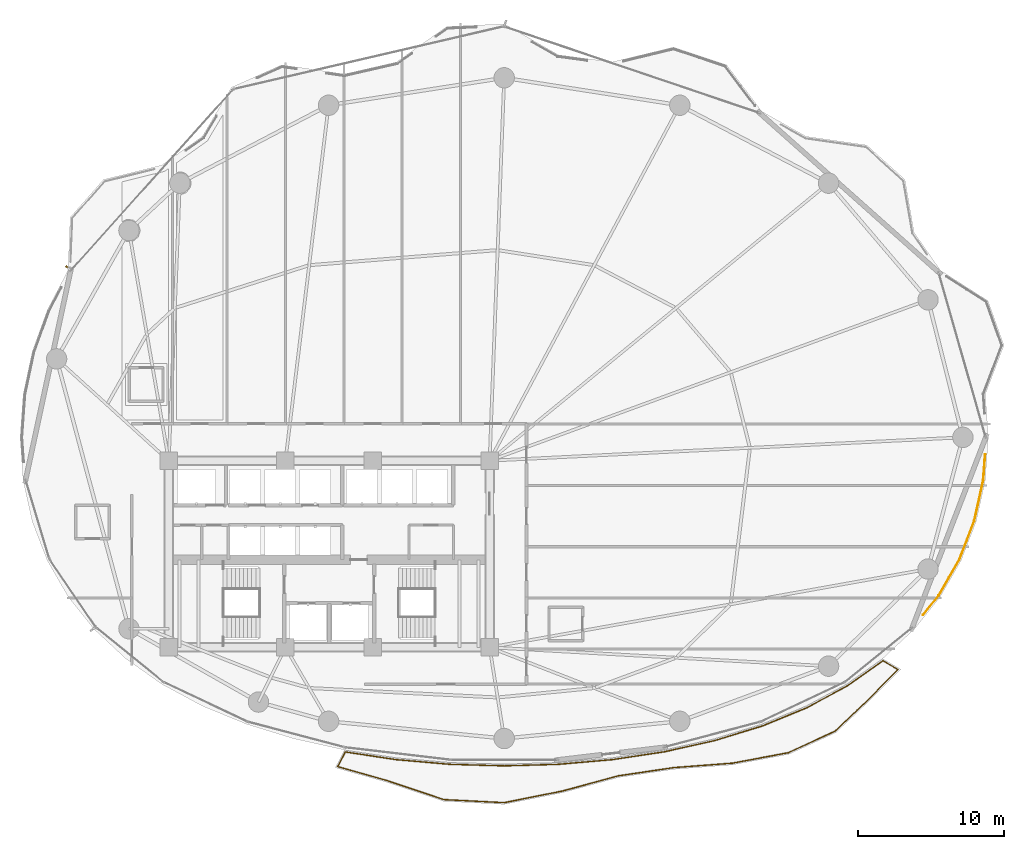
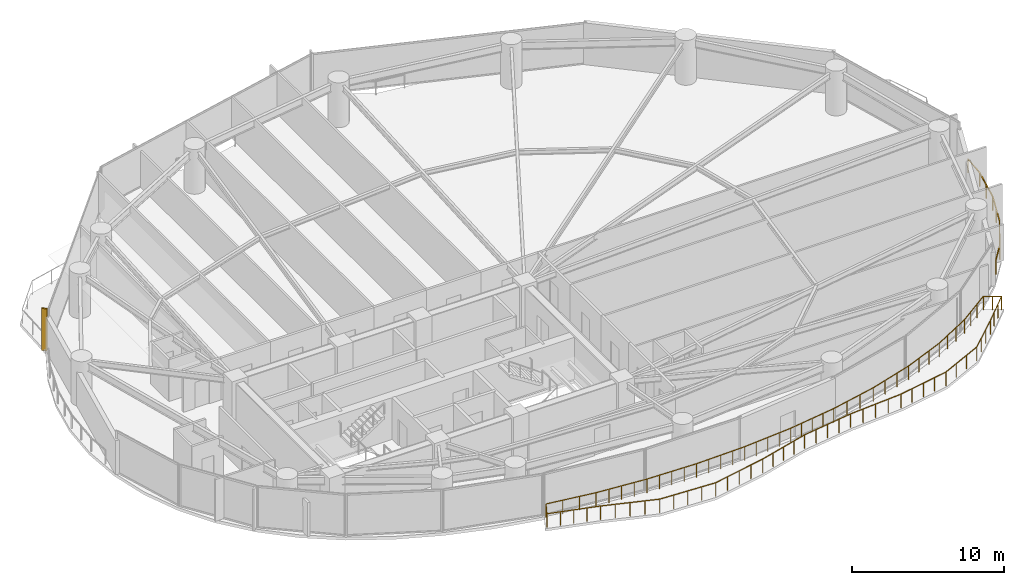
# One storey, part 30 of 31: 2 railings, 1 shading device.
"""IFC4 building model written with IfcOpenShell, lengths in metres."""

from ifc_helpers import new_model, si_unit, direction, frame, origin, origin_2d, place, context, subcontext, project, spatial, rectangle, extrude, material, type_object, element, save


model = new_model("IFC4")

# Units and contexts
model_context = context("Model", 3, precision=1e-05, world=origin(), true_north=direction((0.0, 1.0)))
body_context = subcontext(model_context, "Body", "Model", "MODEL_VIEW")
ifc_project = project(units=[si_unit("LENGTHUNIT", "METRE"), si_unit("AREAUNIT", "SQUARE_METRE"), si_unit("VOLUMEUNIT", "CUBIC_METRE"), si_unit("PLANEANGLEUNIT", "RADIAN"), si_unit("MASSUNIT", "GRAM", prefix="KILO")], contexts=[model_context])

# Site, building, storey
site_placement = place(None, origin())
site = spatial("IfcSite", under=ifc_project, at=site_placement, CompositionType="ELEMENT")
building_placement = place(site_placement, origin())
building = spatial("IfcBuilding", under=site, at=building_placement, Name="Kazevale Care Tower and Concert Hall", CompositionType="ELEMENT")
storey_placement = place(building_placement, frame((0.0, 0.0, 81.60009765625)))
storey = spatial("IfcBuildingStorey", under=building, at=storey_placement, Name="L21", CompositionType="ELEMENT", Elevation=81.60009765625)

# Railings
ifc_material_1 = material(Name="Anodised Bronze Aluminium and Laminated Glass", Category="aluminium")
railing_type = type_object("IfcRailingType", Name="Balcony and Terrace Balustrade 1120", PredefinedType="BALUSTRADE", material=ifc_material_1)
railing_1_placement = place(storey_placement, frame((77.97705078125, 36.833984375, 0.0)))
element("IfcRailing", 1, at=railing_1_placement, inside=storey, type_object=railing_type, Name="rail:L21:perim:10", PredefinedType="BALUSTRADE", context=body_context, shape_type="SweptSolid", body=[
    extrude(rectangle(XDim=0.048095703125, YDim=0.048095703125, at=origin_2d()), frame((0.0, 0.0, 1.09619140625), z_axis=(-0.071286628485, -0.997455872006, 0.0), x_axis=(0.997455872006, -0.071286628485, 0.0)), (0.0, 0.0, 1.0), 1.75341796875),
    extrude(rectangle(XDim=0.048095703125, YDim=0.048095703125, at=origin_2d()), frame((-0.125, -1.7490234375, 1.09619140625), z_axis=(-0.215098010705, -0.976592466585, 0.0), x_axis=(0.976592466585, -0.215098010705, 0.0)), (0.0, 0.0, 1.0), 2.87841796875),
    extrude(rectangle(XDim=0.048095703125, YDim=0.048095703125, at=origin_2d()), frame((-0.744140625, -4.56005859375, 1.09619140625), z_axis=(-0.359784505971, -0.933035427657, 0.0), x_axis=(0.933035427657, -0.359784505971, 0.0)), (0.0, 0.0, 1.0), 2.84326171875),
    extrude(rectangle(XDim=0.048095703125, YDim=0.048095703125, at=origin_2d()), frame((-1.76708984375, -7.212890625, 1.09619140625), z_axis=(-0.498807638719, -0.866712720315, 0.0), x_axis=(0.866712720315, -0.498807638719, 0.0)), (0.0, 0.0, 1.0), 2.8349609375),
    extrude(rectangle(XDim=0.048095703125, YDim=0.048095703125, at=origin_2d()), frame((-3.18115234375, -9.669921875, 1.09619140625), z_axis=(-0.624746863437, -0.780827353917, 0.0), x_axis=(0.780827353917, -0.624746863437, 0.0)), (0.0, 0.0, 1.0), 1.7236328125),
    extrude(rectangle(XDim=0.0419921875, YDim=0.0419921875, at=origin_2d()), origin(), (0.0, 0.0, 1.0), 1.072021484375),
    extrude(rectangle(XDim=0.0419921875, YDim=0.0419921875, at=origin_2d()), frame((-0.125, -1.7490234375, 0.0)), (0.0, 0.0, 1.0), 1.072021484375),
    extrude(rectangle(XDim=0.0419921875, YDim=0.0419921875, at=origin_2d()), frame((-0.4345703125, -3.154541015625, 0.0)), (0.0, 0.0, 1.0), 1.072021484375),
    extrude(rectangle(XDim=0.0419921875, YDim=0.0419921875, at=origin_2d()), frame((-0.744140625, -4.56005859375, 0.0)), (0.0, 0.0, 1.0), 1.072021484375),
    extrude(rectangle(XDim=0.0419921875, YDim=0.0419921875, at=origin_2d()), frame((-1.255615234375, -5.886474609375, 0.0)), (0.0, 0.0, 1.0), 1.072021484375),
    extrude(rectangle(XDim=0.0419921875, YDim=0.0419921875, at=origin_2d()), frame((-1.76708984375, -7.212890625, 0.0)), (0.0, 0.0, 1.0), 1.072021484375),
    extrude(rectangle(XDim=0.0419921875, YDim=0.0419921875, at=origin_2d()), frame((-2.47412109375, -8.44140625, 0.0)), (0.0, 0.0, 1.0), 1.072021484375),
    extrude(rectangle(XDim=0.0419921875, YDim=0.0419921875, at=origin_2d()), frame((-3.18115234375, -9.669921875, 0.0)), (0.0, 0.0, 1.0), 1.072021484375),
    extrude(rectangle(XDim=0.0419921875, YDim=0.0419921875, at=origin_2d()), frame((-4.258056640625, -11.015869140625, 0.0)), (0.0, 0.0, 1.0), 1.072021484375),
])
railing_2_placement = place(storey_placement, frame((34.10009765625, 16.427978515625, 0.0)))
element("IfcRailing", 2, at=railing_2_placement, inside=storey, type_object=railing_type, Name="rail:L21:balcony", PredefinedType="BALUSTRADE", context=body_context, shape_type="SweptSolid", body=[
    extrude(rectangle(XDim=0.048095703125, YDim=0.048095703125, at=origin_2d()), frame((0.0, 0.0, 1.09619140625), z_axis=(0.988835380671, -0.149012046267, 0.0), x_axis=(0.149012046267, 0.988835380671, 0.0)), (0.0, 0.0, 1.0), 3.537353515625),
    extrude(rectangle(XDim=0.048095703125, YDim=0.048095703125, at=origin_2d()), frame((3.497802734375, -0.527099609375, 1.09619140625), z_axis=(0.996240588196, -0.086629616365, 0.0), x_axis=(0.086629616365, 0.996240588196, 0.0)), (0.0, 0.0, 1.0), 3.69189453125),
    extrude(rectangle(XDim=0.048095703125, YDim=0.048095703125, at=origin_2d()), frame((7.17578125, -0.846923828125, 1.09619140625), z_axis=(0.999595500109, -0.02844004504, 0.0), x_axis=(0.02844004504, 0.999595500109, 0.0)), (0.0, 0.0, 1.0), 3.7255859375),
    extrude(rectangle(XDim=0.048095703125, YDim=0.048095703125, at=origin_2d()), frame((10.89990234375, -0.952880859375, 1.09619140625), z_axis=(0.999595500109, 0.02844004504, 0.0), x_axis=(-0.02844004504, 0.999595500109, 0.0)), (0.0, 0.0, 1.0), 3.7255859375),
    extrude(rectangle(XDim=0.048095703125, YDim=0.048095703125, at=origin_2d()), frame((14.6240234375, -0.846923828125, 1.09619140625), z_axis=(0.996240588196, 0.086629616365, 0.0), x_axis=(-0.086629616365, 0.996240588196, 0.0)), (0.0, 0.0, 1.0), 3.69189453125),
    extrude(rectangle(XDim=0.048095703125, YDim=0.048095703125, at=origin_2d()), frame((18.302001953125, -0.527099609375, 1.09619140625), z_axis=(0.988849271471, 0.148919838541, 0.0), x_axis=(-0.148919838541, 0.988849271471, 0.0)), (0.0, 0.0, 1.0), 3.62646484375),
    extrude(rectangle(XDim=0.048095703125, YDim=0.048095703125, at=origin_2d()), frame((21.887939453125, 0.012939453125, 1.09619140625), z_axis=(0.976148024322, 0.217106044625, 0.0), x_axis=(-0.217106044625, 0.976148024322, 0.0)), (0.0, 0.0, 1.0), 3.533203125),
    extrude(rectangle(XDim=0.048095703125, YDim=0.048095703125, at=origin_2d()), frame((25.3369140625, 0.780029296875, 1.09619140625), z_axis=(0.95593940193, 0.293564064282, 0.0), x_axis=(-0.293564064282, 0.95593940193, 0.0)), (0.0, 0.0, 1.0), 3.419677734375),
    extrude(rectangle(XDim=0.048095703125, YDim=0.048095703125, at=origin_2d()), frame((28.60595703125, 1.783935546875, 1.09619140625), z_axis=(0.925168618375, 0.379556356256, 0.0), x_axis=(-0.379556356256, 0.925168618375, 0.0)), (0.0, 0.0, 1.0), 3.293212890625),
    extrude(rectangle(XDim=0.048095703125, YDim=0.048095703125, at=origin_2d()), frame((31.65283203125, 3.033935546875, 1.09619140625), z_axis=(0.880032904554, 0.474912715036, 0.0), x_axis=(-0.474912715036, 0.880032904554, 0.0)), (0.0, 0.0, 1.0), 3.169189453125),
    extrude(rectangle(XDim=0.048095703125, YDim=0.048095703125, at=origin_2d()), frame((34.44189453125, 4.5390625, 1.09619140625), z_axis=(0.816594193991, 0.577212198711, 0.0), x_axis=(-0.577212198711, 0.816594193991, 0.0)), (0.0, 0.0, 1.0), 2.970947265625),
    extrude(rectangle(XDim=0.048095703125, YDim=0.048095703125, at=origin_2d()), frame((36.867919921875, 6.25390625, 1.09619140625), z_axis=(0.863277740544, -0.504729177561, 0.0), x_axis=(0.504729177561, 0.863277740544, 0.0)), (0.0, 0.0, 1.0), 1.202392578125),
    extrude(rectangle(XDim=0.048095703125, YDim=0.048095703125, at=origin_2d()), frame((37.906005859375, 5.64697265625, 1.09619140625), z_axis=(-0.705205342065, -0.709003120954, 0.0), x_axis=(0.709003120954, -0.705205342065, 0.0)), (0.0, 0.0, 1.0), 2.892822265625),
    extrude(rectangle(XDim=0.048095703125, YDim=0.048095703125, at=origin_2d()), frame((35.865966796875, 3.595947265625, 1.09619140625), z_axis=(-0.724844737481, -0.688912263315, 0.0), x_axis=(0.688912263315, -0.724844737481, 0.0)), (0.0, 0.0, 1.0), 3.152587890625),
    extrude(rectangle(XDim=0.048095703125, YDim=0.048095703125, at=origin_2d()), frame((33.580810546875, 1.424072265625, 1.09619140625), z_axis=(-0.908162197032, -0.418618470546, 0.0), x_axis=(0.418618470546, -0.908162197032, 0.0)), (0.0, 0.0, 1.0), 3.521484375),
    extrude(rectangle(XDim=0.048095703125, YDim=0.048095703125, at=origin_2d()), frame((30.3828125, -0.050048828125, 1.09619140625), z_axis=(-0.982925124108, -0.184005979242, 0.0), x_axis=(0.184005979242, -0.982925124108, 0.0)), (0.0, 0.0, 1.0), 3.912841796875),
    extrude(rectangle(XDim=0.048095703125, YDim=0.048095703125, at=origin_2d()), frame((26.536865234375, -0.77001953125, 1.09619140625), z_axis=(-0.997151974579, -0.075418430062, 0.0), x_axis=(0.075418430062, -0.997151974579, 0.0)), (0.0, 0.0, 1.0), 4.017333984375),
    extrude(rectangle(XDim=0.048095703125, YDim=0.048095703125, at=origin_2d()), frame((22.531005859375, -1.072998046875, 1.09619140625), z_axis=(-0.989238122647, -0.146314512954, 0.0), x_axis=(0.146314512954, -0.989238122647, 0.0)), (0.0, 0.0, 1.0), 3.8544921875),
    extrude(rectangle(XDim=0.048095703125, YDim=0.048095703125, at=origin_2d()), frame((18.718017578125, -1.636962890625, 1.09619140625), z_axis=(-0.964831303728, -0.26286984488, 0.0), x_axis=(0.26286984488, -0.964831303728, 0.0)), (0.0, 0.0, 1.0), 3.922119140625),
    extrude(rectangle(XDim=0.048095703125, YDim=0.048095703125, at=origin_2d()), frame((14.933837890625, -2.66796875, 1.09619140625), z_axis=(-0.980603444149, -0.196002258462, 0.0), x_axis=(0.196002258462, -0.980603444149, 0.0)), (0.0, 0.0, 1.0), 4.123046875),
    extrude(rectangle(XDim=0.048095703125, YDim=0.048095703125, at=origin_2d()), frame((10.890869140625, -3.47607421875, 1.09619140625), z_axis=(-0.998722122872, 0.050538315038, 0.0), x_axis=(-0.050538315038, -0.998722122872, 0.0)), (0.0, 0.0, 1.0), 4.13525390625),
    extrude(rectangle(XDim=0.048095703125, YDim=0.048095703125, at=origin_2d()), frame((6.760986328125, -3.26708984375, 1.09619140625), z_axis=(-0.947867462843, 0.318664828438, 0.0), x_axis=(-0.318664828438, -0.947867462843, 0.0)), (0.0, 0.0, 1.0), 3.995361328125),
    extrude(rectangle(XDim=0.048095703125, YDim=0.048095703125, at=origin_2d()), frame((2.973876953125, -1.993896484375, 1.09619140625), z_axis=(-0.962073428858, 0.272790611066, 0.0), x_axis=(-0.272790611066, -0.962073428858, 0.0)), (0.0, 0.0, 1.0), 3.62548828125),
    extrude(rectangle(XDim=0.048095703125, YDim=0.048095703125, at=origin_2d()), frame((-0.51416015625, -1.0048828125, 1.09619140625), z_axis=(0.455499722692, 0.890235925262, 0.0), x_axis=(-0.890235925262, 0.455499722692, 0.0)), (0.0, 0.0, 1.0), 1.128662109375),
    extrude(rectangle(XDim=0.0419921875, YDim=0.0419921875, at=origin_2d()), origin(), (0.0, 0.0, 1.0), 1.072021484375),
    extrude(rectangle(XDim=0.0419921875, YDim=0.0419921875, at=origin_2d()), frame((1.166015625, -0.17578125, 0.0)), (0.0, 0.0, 1.0), 1.072021484375),
    extrude(rectangle(XDim=0.0419921875, YDim=0.0419921875, at=origin_2d()), frame((2.331787109375, -0.351318359375, 0.0)), (0.0, 0.0, 1.0), 1.072021484375),
    extrude(rectangle(XDim=0.0419921875, YDim=0.0419921875, at=origin_2d()), frame((3.497802734375, -0.527099609375, 0.0)), (0.0, 0.0, 1.0), 1.072021484375),
    extrude(rectangle(XDim=0.0419921875, YDim=0.0419921875, at=origin_2d()), frame((4.417236328125, -0.60693359375, 0.0)), (0.0, 0.0, 1.0), 1.072021484375),
    extrude(rectangle(XDim=0.0419921875, YDim=0.0419921875, at=origin_2d()), frame((5.3369140625, -0.68701171875, 0.0)), (0.0, 0.0, 1.0), 1.072021484375),
    extrude(rectangle(XDim=0.0419921875, YDim=0.0419921875, at=origin_2d()), frame((6.25634765625, -0.76708984375, 0.0)), (0.0, 0.0, 1.0), 1.072021484375),
    extrude(rectangle(XDim=0.0419921875, YDim=0.0419921875, at=origin_2d()), frame((7.17578125, -0.846923828125, 0.0)), (0.0, 0.0, 1.0), 1.072021484375),
    extrude(rectangle(XDim=0.0419921875, YDim=0.0419921875, at=origin_2d()), frame((8.10693359375, -0.87353515625, 0.0)), (0.0, 0.0, 1.0), 1.072021484375),
    extrude(rectangle(XDim=0.0419921875, YDim=0.0419921875, at=origin_2d()), frame((9.037841796875, -0.89990234375, 0.0)), (0.0, 0.0, 1.0), 1.072021484375),
    extrude(rectangle(XDim=0.0419921875, YDim=0.0419921875, at=origin_2d()), frame((9.96875, -0.92626953125, 0.0)), (0.0, 0.0, 1.0), 1.072021484375),
    extrude(rectangle(XDim=0.0419921875, YDim=0.0419921875, at=origin_2d()), frame((10.89990234375, -0.952880859375, 0.0)), (0.0, 0.0, 1.0), 1.072021484375),
    extrude(rectangle(XDim=0.0419921875, YDim=0.0419921875, at=origin_2d()), frame((11.8310546875, -0.92626953125, 0.0)), (0.0, 0.0, 1.0), 1.072021484375),
    extrude(rectangle(XDim=0.0419921875, YDim=0.0419921875, at=origin_2d()), frame((12.761962890625, -0.89990234375, 0.0)), (0.0, 0.0, 1.0), 1.072021484375),
    extrude(rectangle(XDim=0.0419921875, YDim=0.0419921875, at=origin_2d()), frame((13.69287109375, -0.87353515625, 0.0)), (0.0, 0.0, 1.0), 1.072021484375),
    extrude(rectangle(XDim=0.0419921875, YDim=0.0419921875, at=origin_2d()), frame((14.6240234375, -0.846923828125, 0.0)), (0.0, 0.0, 1.0), 1.072021484375),
    extrude(rectangle(XDim=0.0419921875, YDim=0.0419921875, at=origin_2d()), frame((15.54345703125, -0.76708984375, 0.0)), (0.0, 0.0, 1.0), 1.072021484375),
    extrude(rectangle(XDim=0.0419921875, YDim=0.0419921875, at=origin_2d()), frame((16.462890625, -0.68701171875, 0.0)), (0.0, 0.0, 1.0), 1.072021484375),
    extrude(rectangle(XDim=0.0419921875, YDim=0.0419921875, at=origin_2d()), frame((17.382568359375, -0.60693359375, 0.0)), (0.0, 0.0, 1.0), 1.072021484375),
    extrude(rectangle(XDim=0.0419921875, YDim=0.0419921875, at=origin_2d()), frame((18.302001953125, -0.527099609375, 0.0)), (0.0, 0.0, 1.0), 1.072021484375),
    extrude(rectangle(XDim=0.0419921875, YDim=0.0419921875, at=origin_2d()), frame((19.198486328125, -0.39208984375, 0.0)), (0.0, 0.0, 1.0), 1.072021484375),
    extrude(rectangle(XDim=0.0419921875, YDim=0.0419921875, at=origin_2d()), frame((20.094970703125, -0.257080078125, 0.0)), (0.0, 0.0, 1.0), 1.072021484375),
    extrude(rectangle(XDim=0.0419921875, YDim=0.0419921875, at=origin_2d()), frame((20.991455078125, -0.1220703125, 0.0)), (0.0, 0.0, 1.0), 1.072021484375),
    extrude(rectangle(XDim=0.0419921875, YDim=0.0419921875, at=origin_2d()), frame((21.887939453125, 0.012939453125, 0.0)), (0.0, 0.0, 1.0), 1.072021484375),
    extrude(rectangle(XDim=0.0419921875, YDim=0.0419921875, at=origin_2d()), frame((23.03759765625, 0.2685546875, 0.0)), (0.0, 0.0, 1.0), 1.072021484375),
    extrude(rectangle(XDim=0.0419921875, YDim=0.0419921875, at=origin_2d()), frame((24.187255859375, 0.5244140625, 0.0)), (0.0, 0.0, 1.0), 1.072021484375),
    extrude(rectangle(XDim=0.0419921875, YDim=0.0419921875, at=origin_2d()), frame((25.3369140625, 0.780029296875, 0.0)), (0.0, 0.0, 1.0), 1.072021484375),
    extrude(rectangle(XDim=0.0419921875, YDim=0.0419921875, at=origin_2d()), frame((26.426513671875, 1.11474609375, 0.0)), (0.0, 0.0, 1.0), 1.072021484375),
    extrude(rectangle(XDim=0.0419921875, YDim=0.0419921875, at=origin_2d()), frame((27.516357421875, 1.44921875, 0.0)), (0.0, 0.0, 1.0), 1.072021484375),
    extrude(rectangle(XDim=0.0419921875, YDim=0.0419921875, at=origin_2d()), frame((28.60595703125, 1.783935546875, 0.0)), (0.0, 0.0, 1.0), 1.072021484375),
    extrude(rectangle(XDim=0.0419921875, YDim=0.0419921875, at=origin_2d()), frame((29.62158203125, 2.20068359375, 0.0)), (0.0, 0.0, 1.0), 1.072021484375),
    extrude(rectangle(XDim=0.0419921875, YDim=0.0419921875, at=origin_2d()), frame((30.63720703125, 2.6171875, 0.0)), (0.0, 0.0, 1.0), 1.072021484375),
    extrude(rectangle(XDim=0.0419921875, YDim=0.0419921875, at=origin_2d()), frame((31.65283203125, 3.033935546875, 0.0)), (0.0, 0.0, 1.0), 1.072021484375),
    extrude(rectangle(XDim=0.0419921875, YDim=0.0419921875, at=origin_2d()), frame((32.58251953125, 3.53564453125, 0.0)), (0.0, 0.0, 1.0), 1.072021484375),
    extrude(rectangle(XDim=0.0419921875, YDim=0.0419921875, at=origin_2d()), frame((33.51220703125, 4.037353515625, 0.0)), (0.0, 0.0, 1.0), 1.072021484375),
    extrude(rectangle(XDim=0.0419921875, YDim=0.0419921875, at=origin_2d()), frame((34.44189453125, 4.5390625, 0.0)), (0.0, 0.0, 1.0), 1.072021484375),
    extrude(rectangle(XDim=0.0419921875, YDim=0.0419921875, at=origin_2d()), frame((35.25048828125, 5.110595703125, 0.0)), (0.0, 0.0, 1.0), 1.072021484375),
    extrude(rectangle(XDim=0.0419921875, YDim=0.0419921875, at=origin_2d()), frame((36.059326171875, 5.682373046875, 0.0)), (0.0, 0.0, 1.0), 1.072021484375),
    extrude(rectangle(XDim=0.0419921875, YDim=0.0419921875, at=origin_2d()), frame((36.867919921875, 6.25390625, 0.0)), (0.0, 0.0, 1.0), 1.072021484375),
    extrude(rectangle(XDim=0.0419921875, YDim=0.0419921875, at=origin_2d()), frame((37.386962890625, 5.950439453125, 0.0)), (0.0, 0.0, 1.0), 1.072021484375),
    extrude(rectangle(XDim=0.0419921875, YDim=0.0419921875, at=origin_2d()), frame((37.906005859375, 5.64697265625, 0.0)), (0.0, 0.0, 1.0), 1.072021484375),
    extrude(rectangle(XDim=0.0419921875, YDim=0.0419921875, at=origin_2d()), frame((37.22607421875, 4.96337890625, 0.0)), (0.0, 0.0, 1.0), 1.072021484375),
    extrude(rectangle(XDim=0.0419921875, YDim=0.0419921875, at=origin_2d()), frame((36.5458984375, 4.279541015625, 0.0)), (0.0, 0.0, 1.0), 1.072021484375),
    extrude(rectangle(XDim=0.0419921875, YDim=0.0419921875, at=origin_2d()), frame((35.865966796875, 3.595947265625, 0.0)), (0.0, 0.0, 1.0), 1.072021484375),
    extrude(rectangle(XDim=0.0419921875, YDim=0.0419921875, at=origin_2d()), frame((35.104248046875, 2.8720703125, 0.0)), (0.0, 0.0, 1.0), 1.072021484375),
    extrude(rectangle(XDim=0.0419921875, YDim=0.0419921875, at=origin_2d()), frame((34.342529296875, 2.14794921875, 0.0)), (0.0, 0.0, 1.0), 1.072021484375),
    extrude(rectangle(XDim=0.0419921875, YDim=0.0419921875, at=origin_2d()), frame((33.580810546875, 1.424072265625, 0.0)), (0.0, 0.0, 1.0), 1.072021484375),
    extrude(rectangle(XDim=0.0419921875, YDim=0.0419921875, at=origin_2d()), frame((32.514892578125, 0.9326171875, 0.0)), (0.0, 0.0, 1.0), 1.072021484375),
    extrude(rectangle(XDim=0.0419921875, YDim=0.0419921875, at=origin_2d()), frame((31.44873046875, 0.44140625, 0.0)), (0.0, 0.0, 1.0), 1.072021484375),
    extrude(rectangle(XDim=0.0419921875, YDim=0.0419921875, at=origin_2d()), frame((30.3828125, -0.050048828125, 0.0)), (0.0, 0.0, 1.0), 1.072021484375),
    extrude(rectangle(XDim=0.0419921875, YDim=0.0419921875, at=origin_2d()), frame((29.42138671875, -0.22998046875, 0.0)), (0.0, 0.0, 1.0), 1.072021484375),
    extrude(rectangle(XDim=0.0419921875, YDim=0.0419921875, at=origin_2d()), frame((28.4599609375, -0.41015625, 0.0)), (0.0, 0.0, 1.0), 1.072021484375),
    extrude(rectangle(XDim=0.0419921875, YDim=0.0419921875, at=origin_2d()), frame((27.498291015625, -0.590087890625, 0.0)), (0.0, 0.0, 1.0), 1.072021484375),
    extrude(rectangle(XDim=0.0419921875, YDim=0.0419921875, at=origin_2d()), frame((26.536865234375, -0.77001953125, 0.0)), (0.0, 0.0, 1.0), 1.072021484375),
    extrude(rectangle(XDim=0.0419921875, YDim=0.0419921875, at=origin_2d()), frame((25.535400390625, -0.845703125, 0.0)), (0.0, 0.0, 1.0), 1.072021484375),
    extrude(rectangle(XDim=0.0419921875, YDim=0.0419921875, at=origin_2d()), frame((24.533935546875, -0.92138671875, 0.0)), (0.0, 0.0, 1.0), 1.072021484375),
    extrude(rectangle(XDim=0.0419921875, YDim=0.0419921875, at=origin_2d()), frame((23.532470703125, -0.997314453125, 0.0)), (0.0, 0.0, 1.0), 1.072021484375),
    extrude(rectangle(XDim=0.0419921875, YDim=0.0419921875, at=origin_2d()), frame((22.531005859375, -1.072998046875, 0.0)), (0.0, 0.0, 1.0), 1.072021484375),
    extrude(rectangle(XDim=0.0419921875, YDim=0.0419921875, at=origin_2d()), frame((21.57763671875, -1.2138671875, 0.0)), (0.0, 0.0, 1.0), 1.072021484375),
    extrude(rectangle(XDim=0.0419921875, YDim=0.0419921875, at=origin_2d()), frame((20.62451171875, -1.35498046875, 0.0)), (0.0, 0.0, 1.0), 1.072021484375),
    extrude(rectangle(XDim=0.0419921875, YDim=0.0419921875, at=origin_2d()), frame((19.67138671875, -1.49609375, 0.0)), (0.0, 0.0, 1.0), 1.072021484375),
    extrude(rectangle(XDim=0.0419921875, YDim=0.0419921875, at=origin_2d()), frame((18.718017578125, -1.636962890625, 0.0)), (0.0, 0.0, 1.0), 1.072021484375),
    extrude(rectangle(XDim=0.0419921875, YDim=0.0419921875, at=origin_2d()), frame((17.77197265625, -1.894775390625, 0.0)), (0.0, 0.0, 1.0), 1.072021484375),
    extrude(rectangle(XDim=0.0419921875, YDim=0.0419921875, at=origin_2d()), frame((16.825927734375, -2.15234375, 0.0)), (0.0, 0.0, 1.0), 1.072021484375),
    extrude(rectangle(XDim=0.0419921875, YDim=0.0419921875, at=origin_2d()), frame((15.8798828125, -2.41015625, 0.0)), (0.0, 0.0, 1.0), 1.072021484375),
    extrude(rectangle(XDim=0.0419921875, YDim=0.0419921875, at=origin_2d()), frame((14.933837890625, -2.66796875, 0.0)), (0.0, 0.0, 1.0), 1.072021484375),
    extrude(rectangle(XDim=0.0419921875, YDim=0.0419921875, at=origin_2d()), frame((13.923095703125, -2.8701171875, 0.0)), (0.0, 0.0, 1.0), 1.072021484375),
    extrude(rectangle(XDim=0.0419921875, YDim=0.0419921875, at=origin_2d()), frame((12.912353515625, -3.072021484375, 0.0)), (0.0, 0.0, 1.0), 1.072021484375),
    extrude(rectangle(XDim=0.0419921875, YDim=0.0419921875, at=origin_2d()), frame((11.901611328125, -3.27392578125, 0.0)), (0.0, 0.0, 1.0), 1.072021484375),
    extrude(rectangle(XDim=0.0419921875, YDim=0.0419921875, at=origin_2d()), frame((10.890869140625, -3.47607421875, 0.0)), (0.0, 0.0, 1.0), 1.072021484375),
    extrude(rectangle(XDim=0.0419921875, YDim=0.0419921875, at=origin_2d()), frame((9.8583984375, -3.423828125, 0.0)), (0.0, 0.0, 1.0), 1.072021484375),
    extrude(rectangle(XDim=0.0419921875, YDim=0.0419921875, at=origin_2d()), frame((8.825927734375, -3.37158203125, 0.0)), (0.0, 0.0, 1.0), 1.072021484375),
    extrude(rectangle(XDim=0.0419921875, YDim=0.0419921875, at=origin_2d()), frame((7.79345703125, -3.3193359375, 0.0)), (0.0, 0.0, 1.0), 1.072021484375),
    extrude(rectangle(XDim=0.0419921875, YDim=0.0419921875, at=origin_2d()), frame((6.760986328125, -3.26708984375, 0.0)), (0.0, 0.0, 1.0), 1.072021484375),
    extrude(rectangle(XDim=0.0419921875, YDim=0.0419921875, at=origin_2d()), frame((5.814208984375, -2.94873046875, 0.0)), (0.0, 0.0, 1.0), 1.072021484375),
    extrude(rectangle(XDim=0.0419921875, YDim=0.0419921875, at=origin_2d()), frame((4.867431640625, -2.63037109375, 0.0)), (0.0, 0.0, 1.0), 1.072021484375),
    extrude(rectangle(XDim=0.0419921875, YDim=0.0419921875, at=origin_2d()), frame((3.920654296875, -2.312255859375, 0.0)), (0.0, 0.0, 1.0), 1.072021484375),
    extrude(rectangle(XDim=0.0419921875, YDim=0.0419921875, at=origin_2d()), frame((2.973876953125, -1.993896484375, 0.0)), (0.0, 0.0, 1.0), 1.072021484375),
    extrude(rectangle(XDim=0.0419921875, YDim=0.0419921875, at=origin_2d()), frame((2.101806640625, -1.74658203125, 0.0)), (0.0, 0.0, 1.0), 1.072021484375),
    extrude(rectangle(XDim=0.0419921875, YDim=0.0419921875, at=origin_2d()), frame((1.22998046875, -1.49951171875, 0.0)), (0.0, 0.0, 1.0), 1.072021484375),
    extrude(rectangle(XDim=0.0419921875, YDim=0.0419921875, at=origin_2d()), frame((0.35791015625, -1.252197265625, 0.0)), (0.0, 0.0, 1.0), 1.072021484375),
    extrude(rectangle(XDim=0.0419921875, YDim=0.0419921875, at=origin_2d()), frame((-0.51416015625, -1.0048828125, 0.0)), (0.0, 0.0, 1.0), 1.072021484375),
])

# Shading device
ifc_material_2 = material(Name="Honed Ochre Limestone", Category="masonry")
shading_device_type = type_object("IfcShadingDeviceType", Name="Vertical Honed Limestone Fin FIN-01", PredefinedType="USERDEFINED", material=ifc_material_2)
shading_device_placement = place(storey_placement, frame((15.087158203125, 49.62109375, 0.0), z_axis=(0.0, 0.0, 1.0), x_axis=(-0.744777599887, 0.667312765281, 0.0)))
element("IfcShadingDevice", 3, at=shading_device_placement, inside=storey, type_object=shading_device_type, Name="cw:L21:f14:fin", ObjectType="FIN", PredefinedType="USERDEFINED", context=body_context, shape_type="SweptSolid", body=[
    extrude(rectangle(XDim=0.3798828125, YDim=0.1201171875, at=origin_2d()), origin(), (0.0, 0.0, 1.0), 3.360107421875),
])

save(model, "model.ifc")
